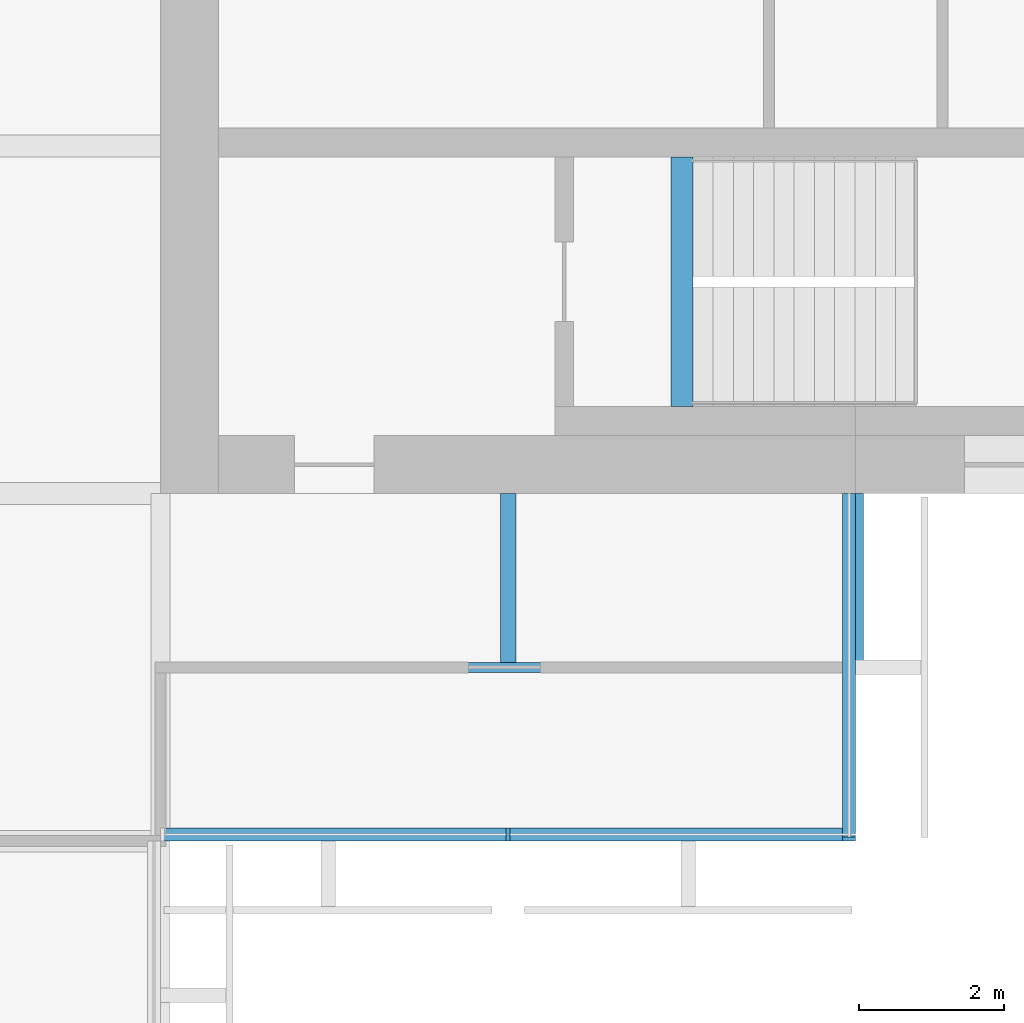
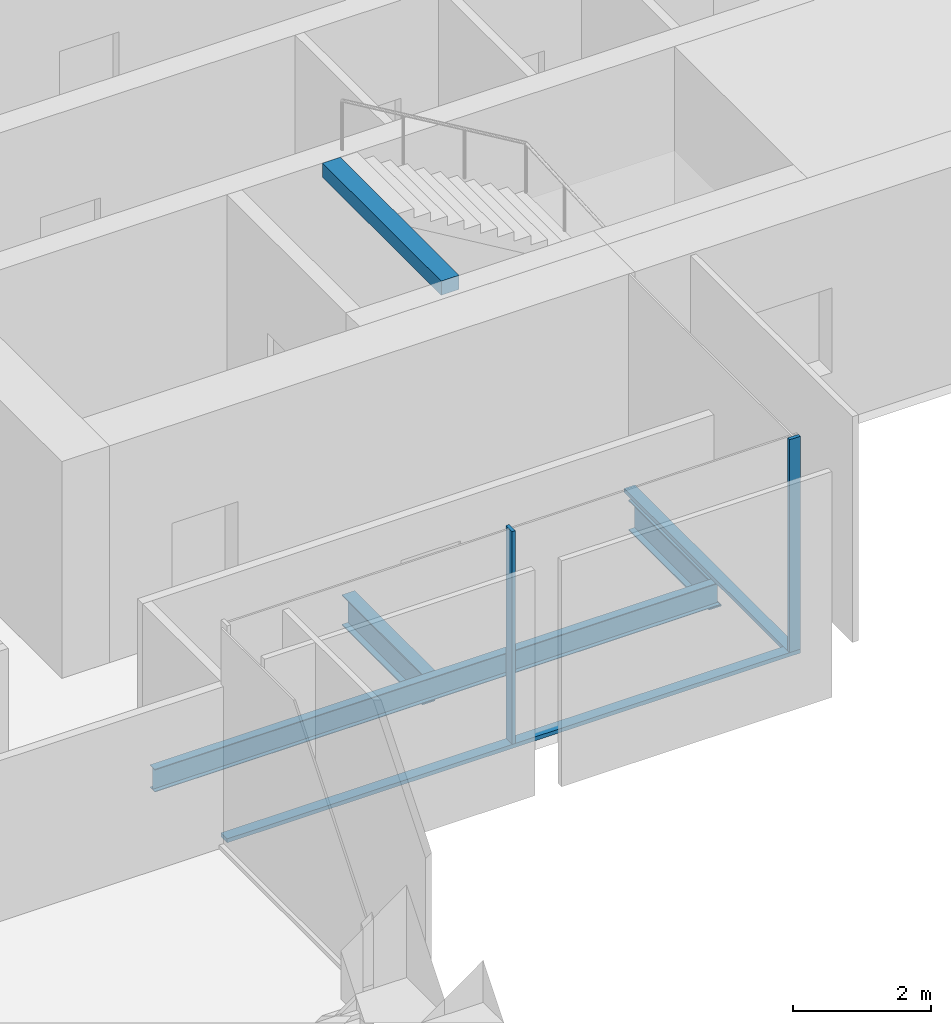
# One storey, part 4 of 13: 4 beams, 4 members, 2 elements without a shape of their own.
"""IFC4 building model written with IfcOpenShell, lengths in metres."""

from ifc_helpers import new_model, si_unit, direction, frame, origin, origin_2d, place, context, subcontext, project, spatial, rectangle, i_section, extrude, material, material_profile, profile_set, type_object, element, aggregate, save


model = new_model("IFC4")

# Units and contexts
model_context = context("Model", 3, precision=1e-05, world=origin(), true_north=direction((0.0, 1.0)))
body_context = subcontext(model_context, "Body", "Model", "MODEL_VIEW")
ifc_project = project(units=[si_unit("LENGTHUNIT", "METRE"), si_unit("AREAUNIT", "SQUARE_METRE"), si_unit("VOLUMEUNIT", "CUBIC_METRE"), si_unit("PLANEANGLEUNIT", "RADIAN"), si_unit("MASSUNIT", "GRAM", prefix="KILO")], contexts=[model_context])

# Site, building, storey
site_placement = place(None, origin())
site = spatial("IfcSite", under=ifc_project, at=site_placement, CompositionType="ELEMENT")
building_placement = place(site_placement, origin())
building = spatial("IfcBuilding", under=site, at=building_placement, Name="Baori Bourse Tower", CompositionType="ELEMENT")
storey_placement = place(building_placement, frame((0.0, 0.0, 205.199951171875)))
storey = spatial("IfcBuildingStorey", under=building, at=storey_placement, Name="L44", CompositionType="ELEMENT", Elevation=205.199951171875)

# Curtain wall, member
ifc_material_1 = material(Name="Pale anodised aluminium", Category="aluminium")
curtain_wall_type = type_object("IfcCurtainWallType", Name="CW2 Curtain wall", PredefinedType="NOTDEFINED", material=ifc_material_1)
curtain_wall_1_placement = place(storey_placement, origin())
curtain_wall_1 = element("IfcCurtainWall", 1, at=curtain_wall_1_placement, inside=storey, type_object=curtain_wall_type, Name="Curtain wall CW2 L44 14", PredefinedType="NOTDEFINED")
ifc_material_2 = material(Name="Pale anodised aluminium", Category="aluminium")
ifc_material_profile_1 = material_profile(ifc_material_2, rectangle(XDim=0.179931640625, YDim=0.054931640625, at=origin_2d()), Name="Mullion 55x180")
ifc_profile_set_1 = profile_set([ifc_material_profile_1], Name="Pale anodised aluminium")
member_type_1 = type_object("IfcMemberType", Name="CW2 Curtain wall mullion", PredefinedType="MULLION", material=ifc_profile_set_1)
member_1_placement = place(storey_placement, frame((43.199951171875, 4.889892578125, 0.070068359375), z_axis=(0.0, 0.0, 1.0), x_axis=(0.0, 1.0, 0.0)))
member_1 = element("IfcMember", 2, at=member_1_placement, type_object=member_type_1, Name="Curtain wall CW2 mullion", PredefinedType="MULLION", context=body_context, shape_type="SweptSolid", body=[
    extrude(rectangle(XDim=0.179931640625, YDim=0.054931640625, at=origin_2d()), origin(), (0.0, 0.0, 1.0), 3.77001953125),
])

curtain_wall_2_placement = place(storey_placement, origin())
curtain_wall_2 = element("IfcCurtainWall", 3, at=curtain_wall_2_placement, inside=storey, type_object=curtain_wall_type, Name="Curtain wall CW2 L44 15", PredefinedType="NOTDEFINED")
member_2_placement = place(storey_placement, frame((47.909912109375, 4.827392578125, 0.070068359375), z_axis=(0.0, 0.0, 1.0), x_axis=(-1.0, 0.0, 0.0)))
member_2 = element("IfcMember", 4, at=member_2_placement, type_object=member_type_1, Name="Curtain wall CW2 mullion", PredefinedType="MULLION", context=body_context, shape_type="SweptSolid", body=[
    extrude(rectangle(XDim=0.179931640625, YDim=0.054931640625, at=origin_2d()), origin(), (0.0, 0.0, 1.0), 3.77001953125),
])

# Member
ifc_material_3 = material(Name="Pale anodised aluminium", Category="aluminium")
ifc_material_profile_2 = material_profile(ifc_material_3, rectangle(XDim=0.179931640625, YDim=0.070068359375, at=origin_2d()), Name="Transom 70x180")
ifc_profile_set_2 = profile_set([ifc_material_profile_2], Name="Pale anodised aluminium")
member_type_2 = type_object("IfcMemberType", Name="CW2 Curtain wall transom", PredefinedType="USERDEFINED", material=ifc_profile_set_2)
member_3_placement = place(storey_placement, frame((38.39990234375, 4.889892578125, 0.03515625), z_axis=(1.0, 0.0, 0.0), x_axis=(0.0, 1.0, 0.0)))
member_3 = element("IfcMember", 5, at=member_3_placement, type_object=member_type_2, Name="Curtain wall CW2 sill rail", ObjectType="TRANSOM", PredefinedType="USERDEFINED", context=body_context, shape_type="SweptSolid", body=[
    extrude(rectangle(XDim=0.179931640625, YDim=0.070068359375, at=origin_2d()), origin(), (0.0, 0.0, 1.0), 9.60009765625),
])

aggregate(curtain_wall_1, [member_3, member_1])

member_4_placement = place(storey_placement, frame((47.909912109375, 4.800048828125, 0.03515625), z_axis=(0.0, 1.0, 0.0), x_axis=(-1.0, 0.0, 0.0)))
member_4 = element("IfcMember", 6, at=member_4_placement, type_object=member_type_2, Name="Curtain wall CW2 sill rail", ObjectType="TRANSOM", PredefinedType="USERDEFINED", context=body_context, shape_type="SweptSolid", body=[
    extrude(rectangle(XDim=0.179931640625, YDim=0.070068359375, at=origin_2d()), origin(), (0.0, 0.0, 1.0), 4.800048828125),
])

aggregate(curtain_wall_2, [member_4, member_2])

# Beams
ifc_material_4 = material(Name="Steel A992 Gr 50", Category="steel")
ifc_material_profile_3 = material_profile(ifc_material_4, i_section(OverallWidth=0.21240234375, OverallDepth=0.54345703125, WebThickness=0.01318359375, FlangeThickness=0.021240234375, at=origin_2d()), Name="W21x83")
ifc_profile_set_3 = profile_set([ifc_material_profile_3], Name="Steel A992 Gr 50")
beam_type_1 = type_object("IfcBeamType", Name="Core bracket W21x83", PredefinedType="BEAM", material=ifc_profile_set_3)
for number, where, z_axis, x_axis, name in (
    (7, (43.199951171875, 7.270263671875, -0.431640625), (0.0, 1.0, 0.0), (-1.0, 0.0, 0.0), "Core bracket L44"),
    (8, (48.0, 7.270263671875, -0.431640625), (0.0, 1.0, 0.0), (-1.0, 0.0, 0.0), "Core bracket L44"),
):
    element("IfcBeam", number, at=place(storey_placement, frame(where, z_axis=z_axis, x_axis=x_axis)), inside=storey, type_object=beam_type_1, Name=name, PredefinedType="BEAM", context=body_context, shape_type="SweptSolid", body=[
        extrude(i_section(OverallWidth=0.21240234375, OverallDepth=0.54345703125, WebThickness=0.01318359375, FlangeThickness=0.021240234375, at=origin_2d()), origin(), (0.0, 0.0, 1.0), 2.329833984375),
    ])
ifc_material_5 = material(Name="Concrete f'c 50 MPa", Category="concrete")
ifc_material_profile_4 = material_profile(ifc_material_5, rectangle(XDim=0.300048828125, YDim=0.25, at=origin_2d()), Name="RC 300x250")
ifc_profile_set_4 = profile_set([ifc_material_profile_4], Name="Concrete f'c 50 MPa")
beam_type_2 = type_object("IfcBeamType", Name="Stair nib beam RC 300x250", PredefinedType="BEAM", material=ifc_profile_set_4)
beam_1_placement = place(storey_placement, frame((45.60009765625, 10.800048828125, 3.715087890625), z_axis=(0.0, 1.0, 0.0), x_axis=(-1.0, 0.0, 0.0)))
element("IfcBeam", 9, at=beam_1_placement, inside=storey, type_object=beam_type_2, Name="Stair EA nib beam L45", PredefinedType="BEAM", context=body_context, shape_type="SweptSolid", body=[
    extrude(rectangle(XDim=0.300048828125, YDim=0.25, at=origin_2d()), origin(), (0.0, 0.0, 1.0), 3.449951171875),
])
ifc_material_6 = material(Name="Steel A992 Gr 50", Category="steel")
ifc_material_profile_5 = material_profile(ifc_material_6, i_section(OverallWidth=0.140380859375, OverallDepth=0.40380859375, WebThickness=0.007080078125, FlangeThickness=0.01123046875, at=origin_2d()), Name="W16x31")
ifc_profile_set_5 = profile_set([ifc_material_profile_5], Name="Steel A992 Gr 50")
beam_type_3 = type_object("IfcBeamType", Name="Trimmer beam W16x31", PredefinedType="BEAM", material=ifc_profile_set_5)
beam_2_placement = place(storey_placement, frame((38.533447265625, 7.199951171875, -0.36181640625), z_axis=(1.0, 0.0, 0.0), x_axis=(0.0, 1.0, 0.0)))
element("IfcBeam", 10, at=beam_2_placement, inside=storey, type_object=beam_type_3, Name="Trimmer beam L44", PredefinedType="BEAM", context=body_context, shape_type="SweptSolid", body=[
    extrude(i_section(OverallWidth=0.140380859375, OverallDepth=0.40380859375, WebThickness=0.007080078125, FlangeThickness=0.01123046875, at=origin_2d()), origin(), (0.0, 0.0, 1.0), 9.466552734375),
])

save(model, "model.ifc")
